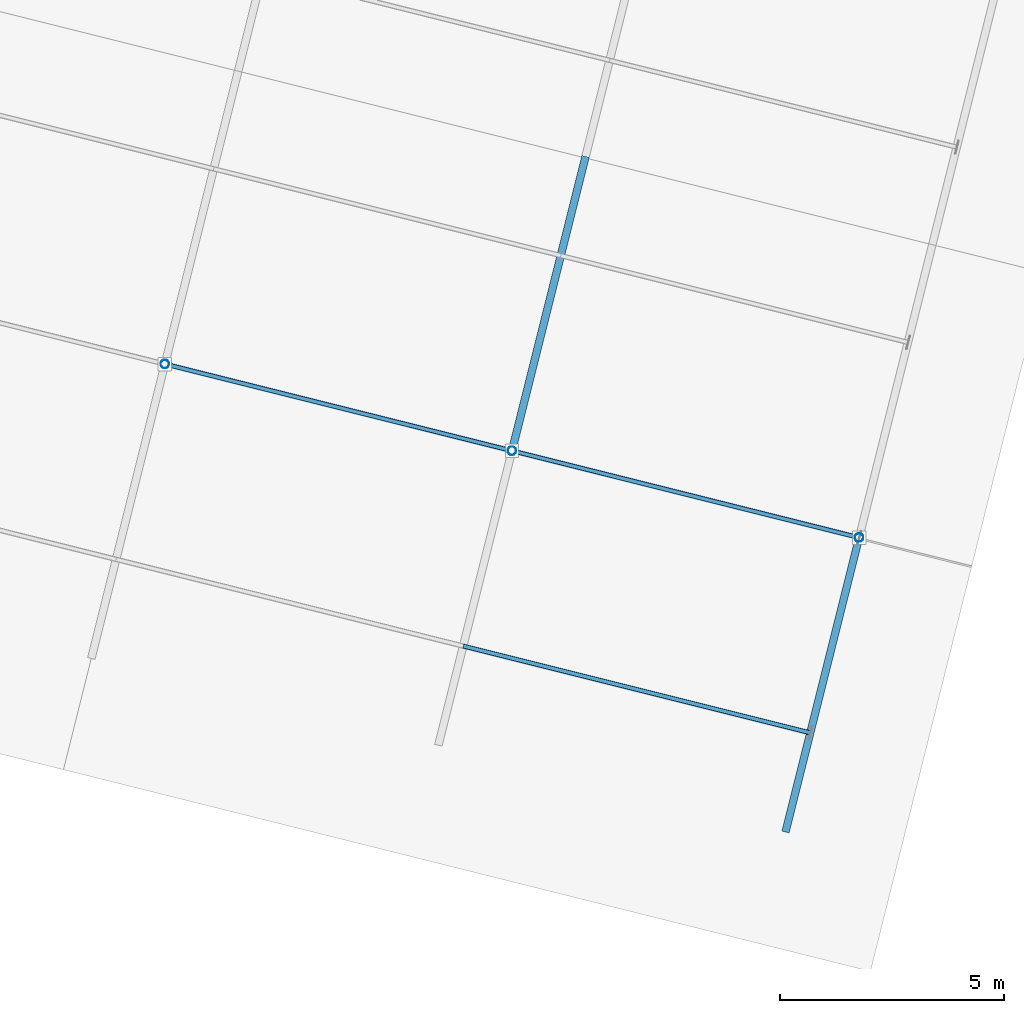
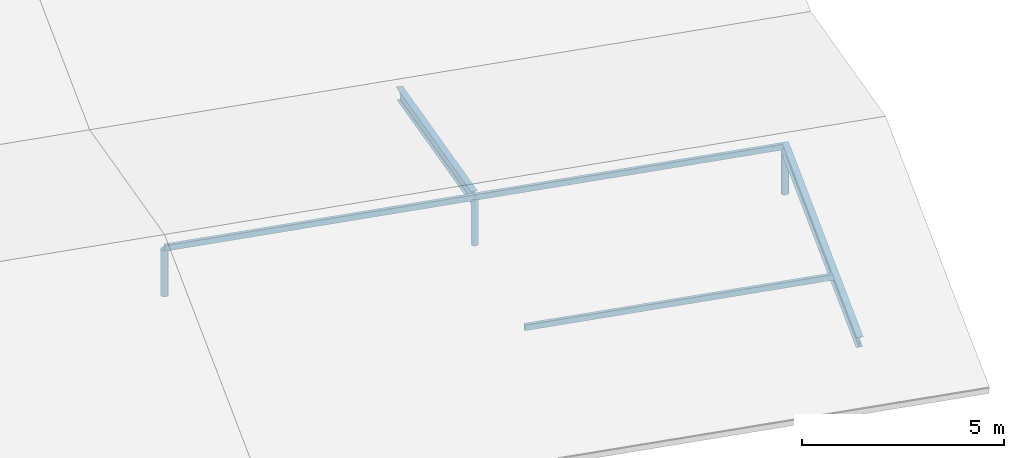
# One storey, part 62 of 107: 8 members.
"""IFC4 building model written with IfcOpenShell, lengths in metres."""

from ifc_helpers import new_model, si_unit, derived_unit, direction, frame, origin, origin_2d, place, context, subcontext, project, spatial, hollow_rectangle, hollow_circle, i_section, extrude, material, material_profile, profile_set, type_object, element, save


model = new_model("IFC4")

# Units and contexts
model_context = context("Model", 3, precision=1e-05, world=origin(), true_north=direction((0.0, 1.0)))
body_context = subcontext(model_context, "Body", "Model", "MODEL_VIEW")
ifc_project = project(units=[si_unit("LENGTHUNIT", "METRE"), si_unit("AREAUNIT", "SQUARE_METRE"), si_unit("VOLUMEUNIT", "CUBIC_METRE"), si_unit("PLANEANGLEUNIT", "RADIAN"), si_unit("MASSUNIT", "GRAM", prefix="KILO"), si_unit("THERMODYNAMICTEMPERATUREUNIT", "KELVIN"), si_unit("TIMEUNIT", "SECOND"), derived_unit("THERMALTRANSMITTANCEUNIT", [(si_unit("MASSUNIT", "GRAM", prefix="KILO"), 1), (si_unit("THERMODYNAMICTEMPERATUREUNIT", "KELVIN"), -1), (si_unit("TIMEUNIT", "SECOND"), -3)])], contexts=[model_context])

# Site, building, storey
site_placement = place(None, origin())
site = spatial("IfcSite", under=ifc_project, at=site_placement, CompositionType="ELEMENT")
building_placement = place(site_placement, origin())
building = spatial("IfcBuilding", under=site, at=building_placement, Name="Cambertide Market Hall", CompositionType="ELEMENT")
storey_placement = place(building_placement, frame((0.0, 0.0, 18.300048828125)))
storey = spatial("IfcBuildingStorey", under=building, at=storey_placement, Name="RF", CompositionType="ELEMENT", Elevation=18.300048828125)

# Members
ifc_material_1 = material(Name="Steel S355", Category="steel")
ifc_material_profile_1 = material_profile(ifc_material_1, i_section(OverallWidth=0.169921875, OverallDepth=0.360107421875, WebThickness=0.008056640625, FlangeThickness=0.0126953125, FilletRadius=0.01806640625, at=origin_2d()), Name="IPE 360")
ifc_profile_set_1 = profile_set([ifc_material_profile_1], Name="Steel S355")
member_type_1 = type_object("IfcMemberType", Name="Radial Fan Rafter IPE 360", PredefinedType="RAFTER", material=ifc_profile_set_1)
for number, where, z_axis, x_axis, name in (
    (1, (163.965087890625, 92.966552734375, 1.003173828125), (0.2376832779, 0.950662224848, -0.199368988695), (-0.970138244761, 0.242552645939, 0.0), "RAF-V4-8-2"),
    (2, (170.089111328125, 84.477783203125, -0.3701171875), (0.2376832779, 0.950662224848, 0.199368988695), (-0.970138244761, 0.242552645939, 0.0), "RAF-V4-9-1"),
):
    element("IfcMember", number, at=place(storey_placement, frame(where, z_axis=z_axis, x_axis=x_axis)), inside=storey, type_object=member_type_1, Name=name, PredefinedType="RAFTER", context=body_context, shape_type="SweptSolid", body=[
        extrude(i_section(OverallWidth=0.169921875, OverallDepth=0.360107421875, WebThickness=0.008056640625, FlangeThickness=0.0126953125, FilletRadius=0.01806640625, at=origin_2d()), origin(), (0.0, 0.0, 1.0), 6.88818359375),
    ])
ifc_material_2 = material(Name="Steel S275", Category="steel")
ifc_material_profile_2 = material_profile(ifc_material_2, hollow_rectangle(XDim=0.10009765625, YDim=0.179931640625, WallThickness=0.00634765625, InnerFilletRadius=0.00634765625, OuterFilletRadius=0.0126953125, at=origin_2d()), Name="RHS 180x100x6.3")
ifc_profile_set_2 = profile_set([ifc_material_profile_2], Name="Steel S275")
member_type_2 = type_object("IfcMemberType", Name="Roof Purlin RHS 180x100x6.3", PredefinedType="PURLIN", material=ifc_profile_set_2)
member_1_placement = place(storey_placement, frame((156.203857421875, 94.90673828125, 1.033203125), z_axis=(0.970146090314, -0.242521263911, 0.0), x_axis=(0.242521263911, 0.970146090314, 0.0)))
element("IfcMember", 3, at=member_1_placement, inside=storey, type_object=member_type_2, Name="PUR-V4-7-67", PredefinedType="PURLIN", context=body_context, shape_type="SweptSolid", body=[
    extrude(hollow_rectangle(XDim=0.10009765625, YDim=0.179931640625, WallThickness=0.00634765625, InnerFilletRadius=0.00634765625, OuterFilletRadius=0.0126953125, at=origin_2d()), origin(), (0.0, 0.0, 1.0), 8.0),
])
member_2_placement = place(storey_placement, frame((162.873779296875, 88.600830078125, 0.11767578125), z_axis=(0.970144295309, -0.242528444268, 0.0), x_axis=(0.242528444268, 0.970144295309, 0.0)))
element("IfcMember", 4, at=member_2_placement, inside=storey, type_object=member_type_2, Name="PUR-V4-8-22", PredefinedType="PURLIN", context=body_context, shape_type="SweptSolid", body=[
    extrude(hollow_rectangle(XDim=0.10009765625, YDim=0.179931640625, WallThickness=0.00634765625, InnerFilletRadius=0.00634765625, OuterFilletRadius=0.0126953125, at=origin_2d()), origin(), (0.0, 0.0, 1.0), 7.999755859375),
])
member_3_placement = place(storey_placement, frame((163.965087890625, 92.966552734375, 1.033203125), z_axis=(0.970138909791, -0.242549986002, 0.0), x_axis=(0.242549986002, 0.970138909791, 0.0)))
element("IfcMember", 5, at=member_3_placement, inside=storey, type_object=member_type_2, Name="PUR-V4-8-67", PredefinedType="PURLIN", context=body_context, shape_type="SweptSolid", body=[
    extrude(hollow_rectangle(XDim=0.10009765625, YDim=0.179931640625, WallThickness=0.00634765625, InnerFilletRadius=0.00634765625, OuterFilletRadius=0.0126953125, at=origin_2d()), origin(), (0.0, 0.0, 1.0), 8.000244140625),
])
ifc_material_3 = material(Name="Steel S355", Category="steel")
ifc_material_profile_3 = material_profile(ifc_material_3, hollow_circle(Radius=0.096923828125, WallThickness=0.00634765625, at=origin_2d()), Name="CHS 193.7x6.3")
ifc_profile_set_3 = profile_set([ifc_material_profile_3], Name="Steel S355")
member_type_3 = type_object("IfcMemberType", Name="Structural Brace CHS 193.7x6.3", PredefinedType="BRACE", material=ifc_profile_set_3)
for number, where, z_axis, x_axis, name in (
    (6, (156.203857421875, 94.90673828125, -0.400146484375), (0.0, 0.0, 1.0), (1.0, 0.0, 0.0), "KP-V4-7-67"),
    (7, (163.965087890625, 92.966552734375, -0.400146484375), (0.0, 0.0, 1.0), (1.0, 0.0, 0.0), "KP-V4-8-67"),
    (8, (171.726318359375, 91.026123046875, -0.400146484375), (0.0, 0.0, 1.0), (1.0, 0.0, 0.0), "KP-V4-9-67"),
):
    element("IfcMember", number, at=place(storey_placement, frame(where, z_axis=z_axis, x_axis=x_axis)), inside=storey, type_object=member_type_3, Name=name, PredefinedType="BRACE", context=body_context, shape_type="SweptSolid", body=[
        extrude(hollow_circle(Radius=0.096923828125, WallThickness=0.00634765625, at=origin_2d()), origin(), (0.0, 0.0, 1.0), 1.4033203125),
    ])

save(model, "model.ifc")
